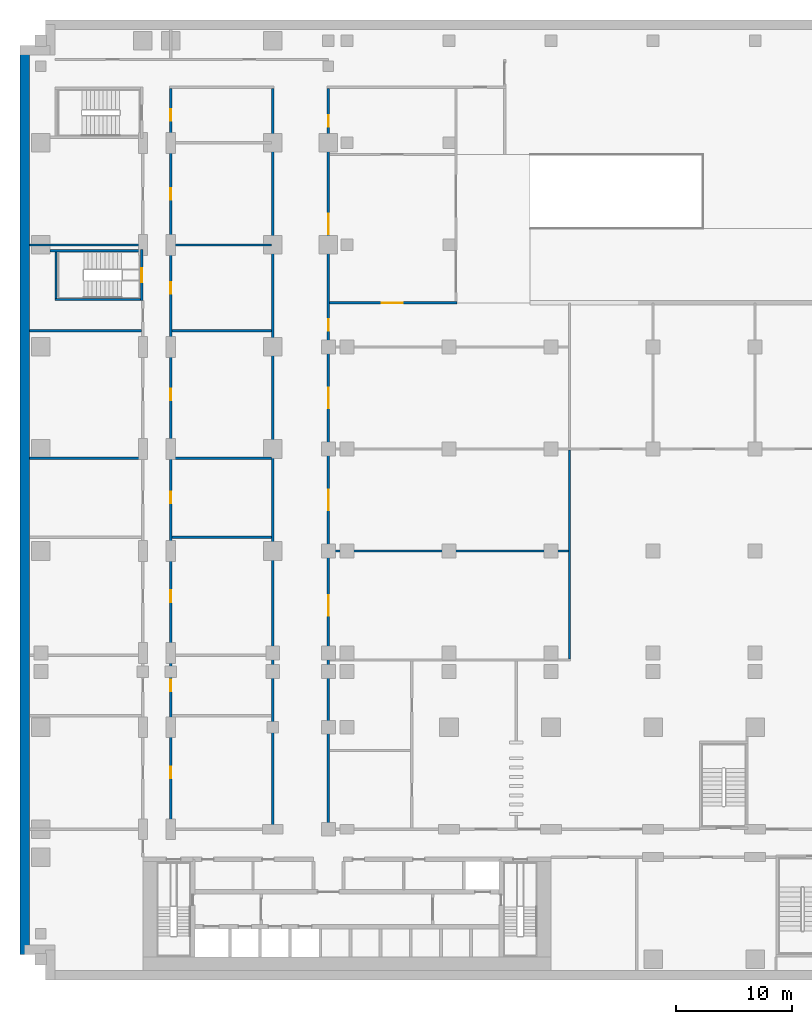
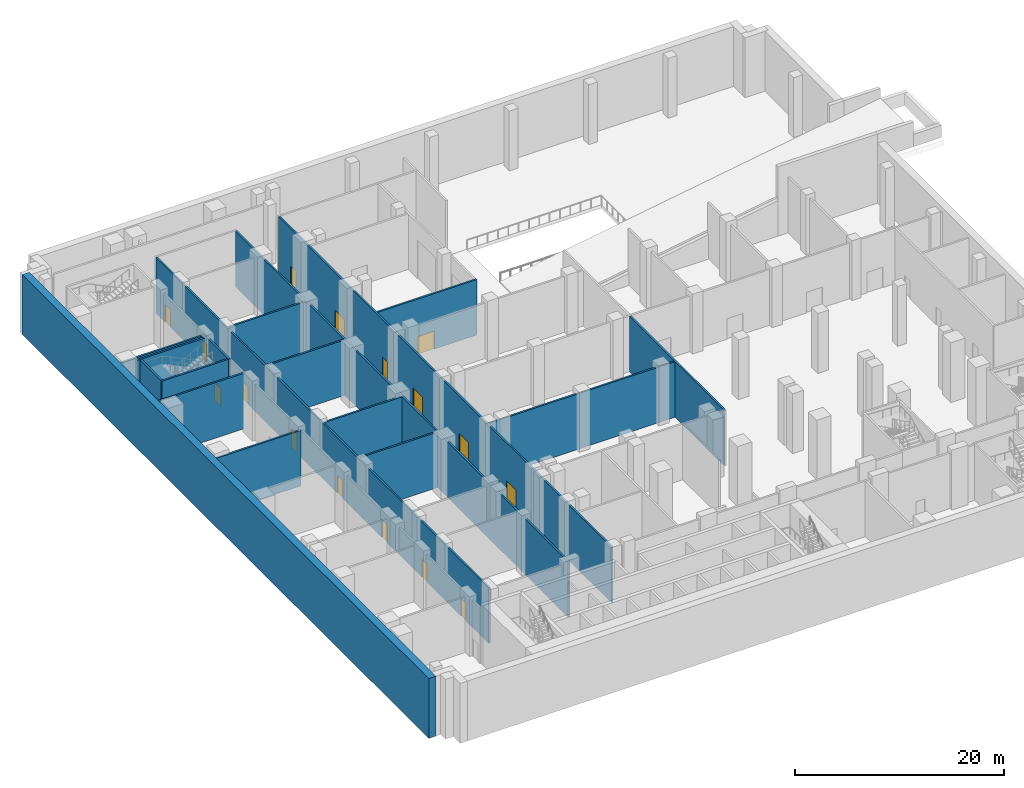
# One storey, part 6 of 15: 18 walls, 16 doors, 16 openings.
"""IFC4 building model written with IfcOpenShell, lengths in metres."""

from ifc_helpers import new_model, si_unit, direction, frame, frame_2d, origin, place, context, subcontext, project, spatial, rectangle, extrude, material, layer, layer_set, type_object, element, fill, save


model = new_model("IFC4")

# Units and contexts
model_context = context("Model", 3, precision=1e-05, world=origin(), true_north=direction((0.0, 1.0)))
body_context = subcontext(model_context, "Body", "Model", "MODEL_VIEW")
ifc_project = project(units=[si_unit("LENGTHUNIT", "METRE"), si_unit("AREAUNIT", "SQUARE_METRE"), si_unit("VOLUMEUNIT", "CUBIC_METRE"), si_unit("PLANEANGLEUNIT", "RADIAN"), si_unit("MASSUNIT", "GRAM", prefix="KILO")], contexts=[model_context])

# Site, building, storey
site_placement = place(None, origin())
site = spatial("IfcSite", under=ifc_project, at=site_placement, CompositionType="ELEMENT")
building_placement = place(site_placement, origin())
building = spatial("IfcBuilding", under=site, at=building_placement, Name="Kemantara Hotel Tower", CompositionType="ELEMENT")
storey_placement = place(building_placement, frame((0.0, 0.0, -7.0)))
storey = spatial("IfcBuildingStorey", under=building, at=storey_placement, Name="B1", CompositionType="ELEMENT", Elevation=-7.0)

# Wall
ifc_material_1 = material(Name="Concrete fc 40 MPa", Category="concrete")
ifc_layer_1 = layer(ifc_material_1, 0.800048828125)
ifc_layer_set_1 = layer_set([ifc_layer_1], Name="Concrete fc 40 MPa")
wall_type_1 = type_object("IfcWallType", Name="BASEMENT PERIMETER WALL 800 FC40", PredefinedType="SHEAR", material=ifc_layer_set_1)
wall_1_placement = place(storey_placement, frame((-0.39990234375, 1.39990234375, 0.0), z_axis=(0.0, 0.0, 1.0), x_axis=(0.0, 1.0, 0.0)))
element("IfcWall", 1, at=wall_1_placement, inside=storey, type_object=wall_type_1, Name="BASEMENT PERIMETER WALL B1 7", PredefinedType="SHEAR", context=body_context, shape_type="SweptSolid", body=[
    extrude(rectangle(XDim=78.0, YDim=0.800048828125, at=frame_2d((39.0, 0.0))), origin(), (0.0, 0.0, 1.0), 7.0),
])

# Wall, opening, door
ifc_layer_2 = layer(ifc_material_1, 0.199951171875)
ifc_layer_set_2 = layer_set([ifc_layer_2], Name="Concrete fc 40 MPa")
wall_type_2 = type_object("IfcWallType", Name="Concrete stair wall 200 mm", PredefinedType="SHEAR", material=ifc_layer_set_2)
wall_2_placement = place(storey_placement, frame((9.699951171875, 57.800048828125, 0.0), z_axis=(0.0, 0.0, 1.0), x_axis=(0.0, 1.0, 0.0)))
wall_2 = element("IfcWall", 2, at=wall_2_placement, inside=storey, type_object=wall_type_2, Name="Stair ST4 enclosure wall with door", PredefinedType="SHEAR", context=body_context, shape_type="SweptSolid", body=[
    extrude(rectangle(XDim=4.39990234375, YDim=0.199951171875, at=frame_2d((2.199951171875, 0.0))), origin(), (0.0, 0.0, 1.0), 6.550048828125),
])
opening_1_placement = place(wall_2_placement, frame((1.60009765625, 0.0, 0.0)))
opening_1 = element("IfcOpeningElement", 3, at=opening_1_placement, cuts=wall_2, Name="Opening ST4-C", PredefinedType="OPENING", context=body_context, shape_type="SweptSolid", body=[
    extrude(rectangle(XDim=1.199951171875, YDim=2.10009765625, at=frame_2d((0.60009765625, 1.050048828125))), frame((0.0, 0.10986328125, 0.0), z_axis=(0.0, -1.0, 0.0), x_axis=(1.0, 0.0, 0.0)), (0.0, 0.0, 1.0), 0.219970703125),
])
ifc_material_2 = material(Name="Steel fire door", Category="steel")
door_type_1 = type_object("IfcDoorType", Name="Fire door FD90 1200 x 2100", OperationType="NOTDEFINED", PredefinedType="DOOR", material=ifc_material_2)
door_1_placement = place(opening_1_placement, origin())
door_1 = element("IfcDoor", 4, at=door_1_placement, inside=storey, type_object=door_type_1, Name="Stair ST4 door", OperationType="SINGLE_SWING_RIGHT", OverallHeight=2.10009765625, OverallWidth=1.199951171875, PredefinedType="DOOR", context=body_context, shape_type="SweptSolid", body=[
    extrude(rectangle(XDim=1.199951171875, YDim=2.10009765625, at=frame_2d((0.60009765625, 1.050048828125))), frame((0.0, 0.02490234375, 0.0), z_axis=(0.0, -1.0, 0.0), x_axis=(1.0, 0.0, 0.0)), (0.0, 0.0, 1.0), 0.050048828125),
])
fill(opening_1, door_1)

# Walls
wall_3_placement = place(storey_placement, frame((1.800048828125, 62.10009765625, 0.0), z_axis=(0.0, 0.0, 1.0), x_axis=(1.0, 0.0, 0.0)))
element("IfcWall", 5, at=wall_3_placement, inside=storey, type_object=wall_type_2, Name="Stair ST4 enclosure wall N", PredefinedType="SHEAR", context=body_context, shape_type="SweptSolid", body=[
    extrude(rectangle(XDim=7.800048828125, YDim=0.199951171875, at=frame_2d((3.89990234375, 0.0))), origin(), (0.0, 0.0, 1.0), 6.550048828125),
])
wall_4_placement = place(storey_placement, frame((2.199951171875, 57.89990234375, 0.0), z_axis=(0.0, 0.0, 1.0), x_axis=(1.0, 0.0, 0.0)))
element("IfcWall", 6, at=wall_4_placement, inside=storey, type_object=wall_type_2, Name="Stair ST4 enclosure wall S", PredefinedType="SHEAR", context=body_context, shape_type="SweptSolid", body=[
    extrude(rectangle(XDim=7.400146484375, YDim=0.199951171875, at=frame_2d((3.7001953125, 0.0))), origin(), (0.0, 0.0, 1.0), 6.550048828125),
])
wall_5_placement = place(storey_placement, frame((2.300048828125, 58.0, 0.0), z_axis=(0.0, 0.0, 1.0), x_axis=(0.0, 1.0, 0.0)))
element("IfcWall", 7, at=wall_5_placement, inside=storey, type_object=wall_type_2, Name="Stair ST4 enclosure wall W", PredefinedType="SHEAR", context=body_context, shape_type="SweptSolid", body=[
    extrude(rectangle(XDim=4.0, YDim=0.199951171875, at=frame_2d((2.0, 0.0))), origin(), (0.0, 0.0, 1.0), 6.550048828125),
])

# Wall, opening, door
ifc_material_3 = material(Name="Fire-rated gypsum board partition")
ifc_layer_3 = layer(ifc_material_3, 0.199951171875)
ifc_layer_set_3 = layer_set([ifc_layer_3], Name="Fire-rated gypsum board partition")
wall_type_3 = type_object("IfcWallType", Name="FIRE-RATED GYPSUM PARTITION 200 EI 60", PredefinedType="PARTITIONING", material=ifc_layer_set_3)
wall_6_placement = place(storey_placement, frame((25.89990234375, 57.60009765625, 0.0), z_axis=(0.0, 0.0, 1.0), x_axis=(1.0, 0.0, 0.0)))
wall_6 = element("IfcWall", 8, at=wall_6_placement, inside=storey, type_object=wall_type_3, Name="FIRE-RATED PARTITION", PredefinedType="PARTITIONING", context=body_context, shape_type="SweptSolid", body=[
    extrude(rectangle(XDim=11.0, YDim=0.199951171875, at=frame_2d((5.5, 0.0))), origin(), (0.0, 0.0, 1.0), 6.5),
])
opening_2_placement = place(wall_6_placement, frame((4.5, 0.0, 0.0)))
opening_2 = element("IfcOpeningElement", 9, at=opening_2_placement, cuts=wall_6, Name="Opening B1-B044", PredefinedType="OPENING", context=body_context, shape_type="SweptSolid", body=[
    extrude(rectangle(XDim=1.800048828125, YDim=2.10009765625, at=frame_2d((0.89990234375, 1.050048828125))), frame((0.0, 0.10986328125, 0.0), z_axis=(0.0, -1.0, 0.0), x_axis=(1.0, 0.0, 0.0)), (0.0, 0.0, 1.0), 0.219970703125),
])
ifc_material_4 = material(Name="Timber veneer door leaf", Category="wood")
door_type_2 = type_object("IfcDoorType", Name="DOUBLE LEAF TIMBER DOOR 1800 X 2100", OperationType="DOUBLE_DOOR_SINGLE_SWING", PredefinedType="DOOR", material=ifc_material_4)
door_2_placement = place(opening_2_placement, frame((1.800048828125, 0.0, 0.0), z_axis=(0.0, 0.0, 1.0), x_axis=(-1.0, 0.0, 0.0)))
door_2 = element("IfcDoor", 10, at=door_2_placement, inside=storey, type_object=door_type_2, Name="DOUBLE LEAF TIMBER DOOR", OperationType="DOUBLE_DOOR_SINGLE_SWING", OverallHeight=2.10009765625, OverallWidth=1.800048828125, PredefinedType="DOOR", context=body_context, shape_type="SweptSolid", body=[
    extrude(rectangle(XDim=1.800048828125, YDim=2.10009765625, at=frame_2d((0.89990234375, 1.050048828125))), frame((0.0, 0.02490234375, 0.0), z_axis=(0.0, -1.0, 0.0), x_axis=(1.0, 0.0, 0.0)), (0.0, 0.0, 1.0), 0.050048828125),
])
fill(opening_2, door_2)

# Wall, openings, doors
wall_7_placement = place(storey_placement, frame((12.199951171875, 12.300048828125, 0.0), z_axis=(0.0, 0.0, 1.0), x_axis=(0.0, 1.0, 0.0)))
wall_7 = element("IfcWall", 11, at=wall_7_placement, inside=storey, type_object=wall_type_3, Name="FIRE-RATED PARTITION", PredefinedType="PARTITIONING", context=body_context, shape_type="SweptSolid", body=[
    extrude(rectangle(XDim=63.800048828125, YDim=0.199951171875, at=frame_2d((31.89990234375, 0.0))), origin(), (0.0, 0.0, 1.0), 6.5),
])
opening_3_placement = place(wall_7_placement, frame((4.300048828125, 0.0, 0.0)))
opening_3 = element("IfcOpeningElement", 12, at=opening_3_placement, cuts=wall_7, Name="Opening B1-B009", PredefinedType="OPENING", context=body_context, shape_type="SweptSolid", body=[
    extrude(rectangle(XDim=1.0, YDim=2.10009765625, at=frame_2d((0.5, 1.050048828125))), frame((0.0, 0.10986328125, 0.0), z_axis=(0.0, -1.0, 0.0), x_axis=(1.0, 0.0, 0.0)), (0.0, 0.0, 1.0), 0.219970703125),
])
opening_4_placement = place(wall_7_placement, frame((11.800048828125, 0.0, 0.0)))
opening_4 = element("IfcOpeningElement", 13, at=opening_4_placement, cuts=wall_7, Name="Opening B1-B010", PredefinedType="OPENING", context=body_context, shape_type="SweptSolid", body=[
    extrude(rectangle(XDim=1.0, YDim=2.10009765625, at=frame_2d((0.5, 1.050048828125))), frame((0.0, 0.10986328125, 0.0), z_axis=(0.0, -1.0, 0.0), x_axis=(1.0, 0.0, 0.0)), (0.0, 0.0, 1.0), 0.219970703125),
])
opening_5_placement = place(wall_7_placement, frame((19.5, 0.0, 0.0)))
opening_5 = element("IfcOpeningElement", 14, at=opening_5_placement, cuts=wall_7, Name="Opening B1-B011", PredefinedType="OPENING", context=body_context, shape_type="SweptSolid", body=[
    extrude(rectangle(XDim=1.0, YDim=2.10009765625, at=frame_2d((0.5, 1.050048828125))), frame((0.0, 0.10986328125, 0.0), z_axis=(0.0, -1.0, 0.0), x_axis=(1.0, 0.0, 0.0)), (0.0, 0.0, 1.0), 0.219970703125),
])
opening_6_placement = place(wall_7_placement, frame((28.0, 0.0, 0.0)))
opening_6 = element("IfcOpeningElement", 15, at=opening_6_placement, cuts=wall_7, Name="Opening B1-B012", PredefinedType="OPENING", context=body_context, shape_type="SweptSolid", body=[
    extrude(rectangle(XDim=1.0, YDim=2.10009765625, at=frame_2d((0.5, 1.050048828125))), frame((0.0, 0.10986328125, 0.0), z_axis=(0.0, -1.0, 0.0), x_axis=(1.0, 0.0, 0.0)), (0.0, 0.0, 1.0), 0.219970703125),
])
opening_7_placement = place(wall_7_placement, frame((36.89990234375, 0.0, 0.0)))
opening_7 = element("IfcOpeningElement", 16, at=opening_7_placement, cuts=wall_7, Name="Opening B1-B013", PredefinedType="OPENING", context=body_context, shape_type="SweptSolid", body=[
    extrude(rectangle(XDim=1.0, YDim=2.10009765625, at=frame_2d((0.5, 1.050048828125))), frame((0.0, 0.10986328125, 0.0), z_axis=(0.0, -1.0, 0.0), x_axis=(1.0, 0.0, 0.0)), (0.0, 0.0, 1.0), 0.219970703125),
])
opening_8_placement = place(wall_7_placement, frame((46.10009765625, 0.0, 0.0)))
opening_8 = element("IfcOpeningElement", 17, at=opening_8_placement, cuts=wall_7, Name="Opening B1-B014", PredefinedType="OPENING", context=body_context, shape_type="SweptSolid", body=[
    extrude(rectangle(XDim=1.0, YDim=2.10009765625, at=frame_2d((0.5, 1.050048828125))), frame((0.0, 0.10986328125, 0.0), z_axis=(0.0, -1.0, 0.0), x_axis=(1.0, 0.0, 0.0)), (0.0, 0.0, 1.0), 0.219970703125),
])
opening_9_placement = place(wall_7_placement, frame((54.199951171875, 0.0, 0.0)))
opening_9 = element("IfcOpeningElement", 18, at=opening_9_placement, cuts=wall_7, Name="Opening B1-B015", PredefinedType="OPENING", context=body_context, shape_type="SweptSolid", body=[
    extrude(rectangle(XDim=1.0, YDim=2.10009765625, at=frame_2d((0.5, 1.050048828125))), frame((0.0, 0.10986328125, 0.0), z_axis=(0.0, -1.0, 0.0), x_axis=(1.0, 0.0, 0.0)), (0.0, 0.0, 1.0), 0.219970703125),
])
opening_10_placement = place(wall_7_placement, frame((61.0, 0.0, 0.0)))
opening_10 = element("IfcOpeningElement", 19, at=opening_10_placement, cuts=wall_7, Name="Opening B1-B016", PredefinedType="OPENING", context=body_context, shape_type="SweptSolid", body=[
    extrude(rectangle(XDim=1.0, YDim=2.10009765625, at=frame_2d((0.5, 1.050048828125))), frame((0.0, 0.10986328125, 0.0), z_axis=(0.0, -1.0, 0.0), x_axis=(1.0, 0.0, 0.0)), (0.0, 0.0, 1.0), 0.219970703125),
])
door_type_3 = type_object("IfcDoorType", Name="SINGLE LEAF TIMBER DOOR 1000 X 2100", OperationType="SINGLE_SWING_LEFT", PredefinedType="DOOR", material=ifc_material_4)
door_3_placement = place(opening_3_placement, origin())
door_3 = element("IfcDoor", 20, at=door_3_placement, inside=storey, type_object=door_type_3, Name="SINGLE LEAF TIMBER DOOR", OperationType="SINGLE_SWING_LEFT", OverallHeight=2.10009765625, OverallWidth=1.0, PredefinedType="DOOR", context=body_context, shape_type="SweptSolid", body=[
    extrude(rectangle(XDim=1.0, YDim=2.10009765625, at=frame_2d((0.5, 1.050048828125))), frame((0.0, 0.02490234375, 0.0), z_axis=(0.0, -1.0, 0.0), x_axis=(1.0, 0.0, 0.0)), (0.0, 0.0, 1.0), 0.050048828125),
])
fill(opening_3, door_3)
door_4_placement = place(opening_4_placement, origin())
door_4 = element("IfcDoor", 21, at=door_4_placement, inside=storey, type_object=door_type_3, Name="SINGLE LEAF TIMBER DOOR", OperationType="SINGLE_SWING_LEFT", OverallHeight=2.10009765625, OverallWidth=1.0, PredefinedType="DOOR", context=body_context, shape_type="SweptSolid", body=[
    extrude(rectangle(XDim=1.0, YDim=2.10009765625, at=frame_2d((0.5, 1.050048828125))), frame((0.0, 0.02490234375, 0.0), z_axis=(0.0, -1.0, 0.0), x_axis=(1.0, 0.0, 0.0)), (0.0, 0.0, 1.0), 0.050048828125),
])
fill(opening_4, door_4)
door_5_placement = place(opening_5_placement, origin())
door_5 = element("IfcDoor", 22, at=door_5_placement, inside=storey, type_object=door_type_3, Name="SINGLE LEAF TIMBER DOOR", OperationType="SINGLE_SWING_LEFT", OverallHeight=2.10009765625, OverallWidth=1.0, PredefinedType="DOOR", context=body_context, shape_type="SweptSolid", body=[
    extrude(rectangle(XDim=1.0, YDim=2.10009765625, at=frame_2d((0.5, 1.050048828125))), frame((0.0, 0.02490234375, 0.0), z_axis=(0.0, -1.0, 0.0), x_axis=(1.0, 0.0, 0.0)), (0.0, 0.0, 1.0), 0.050048828125),
])
fill(opening_5, door_5)
door_6_placement = place(opening_6_placement, origin())
door_6 = element("IfcDoor", 23, at=door_6_placement, inside=storey, type_object=door_type_3, Name="SINGLE LEAF TIMBER DOOR", OperationType="SINGLE_SWING_LEFT", OverallHeight=2.10009765625, OverallWidth=1.0, PredefinedType="DOOR", context=body_context, shape_type="SweptSolid", body=[
    extrude(rectangle(XDim=1.0, YDim=2.10009765625, at=frame_2d((0.5, 1.050048828125))), frame((0.0, 0.02490234375, 0.0), z_axis=(0.0, -1.0, 0.0), x_axis=(1.0, 0.0, 0.0)), (0.0, 0.0, 1.0), 0.050048828125),
])
fill(opening_6, door_6)
door_7_placement = place(opening_7_placement, origin())
door_7 = element("IfcDoor", 24, at=door_7_placement, inside=storey, type_object=door_type_3, Name="SINGLE LEAF TIMBER DOOR", OperationType="SINGLE_SWING_RIGHT", OverallHeight=2.10009765625, OverallWidth=1.0, PredefinedType="DOOR", context=body_context, shape_type="SweptSolid", body=[
    extrude(rectangle(XDim=1.0, YDim=2.10009765625, at=frame_2d((0.5, 1.050048828125))), frame((0.0, 0.02490234375, 0.0), z_axis=(0.0, -1.0, 0.0), x_axis=(1.0, 0.0, 0.0)), (0.0, 0.0, 1.0), 0.050048828125),
])
fill(opening_7, door_7)
door_8_placement = place(opening_8_placement, origin())
door_8 = element("IfcDoor", 25, at=door_8_placement, inside=storey, type_object=door_type_3, Name="SINGLE LEAF TIMBER DOOR", OperationType="SINGLE_SWING_RIGHT", OverallHeight=2.10009765625, OverallWidth=1.0, PredefinedType="DOOR", context=body_context, shape_type="SweptSolid", body=[
    extrude(rectangle(XDim=1.0, YDim=2.10009765625, at=frame_2d((0.5, 1.050048828125))), frame((0.0, 0.02490234375, 0.0), z_axis=(0.0, -1.0, 0.0), x_axis=(1.0, 0.0, 0.0)), (0.0, 0.0, 1.0), 0.050048828125),
])
fill(opening_8, door_8)
door_9_placement = place(opening_9_placement, origin())
door_9 = element("IfcDoor", 26, at=door_9_placement, inside=storey, type_object=door_type_3, Name="SINGLE LEAF TIMBER DOOR", OperationType="SINGLE_SWING_RIGHT", OverallHeight=2.10009765625, OverallWidth=1.0, PredefinedType="DOOR", context=body_context, shape_type="SweptSolid", body=[
    extrude(rectangle(XDim=1.0, YDim=2.10009765625, at=frame_2d((0.5, 1.050048828125))), frame((0.0, 0.02490234375, 0.0), z_axis=(0.0, -1.0, 0.0), x_axis=(1.0, 0.0, 0.0)), (0.0, 0.0, 1.0), 0.050048828125),
])
fill(opening_9, door_9)
door_10_placement = place(opening_10_placement, origin())
door_10 = element("IfcDoor", 27, at=door_10_placement, inside=storey, type_object=door_type_3, Name="SINGLE LEAF TIMBER DOOR", OperationType="SINGLE_SWING_RIGHT", OverallHeight=2.10009765625, OverallWidth=1.0, PredefinedType="DOOR", context=body_context, shape_type="SweptSolid", body=[
    extrude(rectangle(XDim=1.0, YDim=2.10009765625, at=frame_2d((0.5, 1.050048828125))), frame((0.0, 0.02490234375, 0.0), z_axis=(0.0, -1.0, 0.0), x_axis=(1.0, 0.0, 0.0)), (0.0, 0.0, 1.0), 0.050048828125),
])
fill(opening_10, door_10)

# Wall
wall_8_placement = place(storey_placement, frame((21.0, 12.300048828125, 0.0), z_axis=(0.0, 0.0, 1.0), x_axis=(0.0, 1.0, 0.0)))
element("IfcWall", 28, at=wall_8_placement, inside=storey, type_object=wall_type_3, Name="FIRE-RATED PARTITION", PredefinedType="PARTITIONING", context=body_context, shape_type="SweptSolid", body=[
    extrude(rectangle(XDim=63.800048828125, YDim=0.199951171875, at=frame_2d((31.89990234375, 0.0))), origin(), (0.0, 0.0, 1.0), 6.5),
])

# Wall, openings, doors
wall_9_placement = place(storey_placement, frame((25.800048828125, 12.300048828125, 0.0), z_axis=(0.0, 0.0, 1.0), x_axis=(0.0, 1.0, 0.0)))
wall_9 = element("IfcWall", 29, at=wall_9_placement, inside=storey, type_object=wall_type_3, Name="FIRE-RATED PARTITION", PredefinedType="PARTITIONING", context=body_context, shape_type="SweptSolid", body=[
    extrude(rectangle(XDim=63.800048828125, YDim=0.199951171875, at=frame_2d((31.89990234375, 0.0))), origin(), (0.0, 0.0, 1.0), 6.5),
])
opening_11_placement = place(wall_9_placement, frame((18.300048828125, 0.0, 0.0)))
opening_11 = element("IfcOpeningElement", 30, at=opening_11_placement, cuts=wall_9, Name="Opening B1-B039", PredefinedType="OPENING", context=body_context, shape_type="SweptSolid", body=[
    extrude(rectangle(XDim=1.800048828125, YDim=2.10009765625, at=frame_2d((0.89990234375, 1.050048828125))), frame((0.0, 0.10986328125, 0.0), z_axis=(0.0, -1.0, 0.0), x_axis=(1.0, 0.0, 0.0)), (0.0, 0.0, 1.0), 0.219970703125),
])
opening_12_placement = place(wall_9_placement, frame((27.39990234375, 0.0, 0.0)))
opening_12 = element("IfcOpeningElement", 31, at=opening_12_placement, cuts=wall_9, Name="Opening B1-B040", PredefinedType="OPENING", context=body_context, shape_type="SweptSolid", body=[
    extrude(rectangle(XDim=1.800048828125, YDim=2.10009765625, at=frame_2d((0.89990234375, 1.050048828125))), frame((0.0, 0.10986328125, 0.0), z_axis=(0.0, -1.0, 0.0), x_axis=(1.0, 0.0, 0.0)), (0.0, 0.0, 1.0), 0.219970703125),
])
opening_13_placement = place(wall_9_placement, frame((36.199951171875, 0.0, 0.0)))
opening_13 = element("IfcOpeningElement", 32, at=opening_13_placement, cuts=wall_9, Name="Opening B1-B041", PredefinedType="OPENING", context=body_context, shape_type="SweptSolid", body=[
    extrude(rectangle(XDim=1.800048828125, YDim=2.10009765625, at=frame_2d((0.89990234375, 1.050048828125))), frame((0.0, 0.10986328125, 0.0), z_axis=(0.0, -1.0, 0.0), x_axis=(1.0, 0.0, 0.0)), (0.0, 0.0, 1.0), 0.219970703125),
])
opening_14_placement = place(wall_9_placement, frame((42.89990234375, 0.0, 0.0)))
opening_14 = element("IfcOpeningElement", 33, at=opening_14_placement, cuts=wall_9, Name="Opening B1-B042", PredefinedType="OPENING", context=body_context, shape_type="SweptSolid", body=[
    extrude(rectangle(XDim=1.0, YDim=2.10009765625, at=frame_2d((0.5, 1.050048828125))), frame((0.0, 0.10986328125, 0.0), z_axis=(0.0, -1.0, 0.0), x_axis=(1.0, 0.0, 0.0)), (0.0, 0.0, 1.0), 0.219970703125),
])
opening_15_placement = place(wall_9_placement, frame((51.199951171875, 0.0, 0.0)))
opening_15 = element("IfcOpeningElement", 34, at=opening_15_placement, cuts=wall_9, Name="Opening B1-B043", PredefinedType="OPENING", context=body_context, shape_type="SweptSolid", body=[
    extrude(rectangle(XDim=1.800048828125, YDim=2.10009765625, at=frame_2d((0.89990234375, 1.050048828125))), frame((0.0, 0.10986328125, 0.0), z_axis=(0.0, -1.0, 0.0), x_axis=(1.0, 0.0, 0.0)), (0.0, 0.0, 1.0), 0.219970703125),
])
opening_16_placement = place(wall_9_placement, frame((60.5, 0.0, 0.0)))
opening_16 = element("IfcOpeningElement", 35, at=opening_16_placement, cuts=wall_9, Name="Opening B1-B045", PredefinedType="OPENING", context=body_context, shape_type="SweptSolid", body=[
    extrude(rectangle(XDim=1.0, YDim=2.10009765625, at=frame_2d((0.5, 1.050048828125))), frame((0.0, 0.10986328125, 0.0), z_axis=(0.0, -1.0, 0.0), x_axis=(1.0, 0.0, 0.0)), (0.0, 0.0, 1.0), 0.219970703125),
])
door_11_placement = place(opening_11_placement, origin())
door_11 = element("IfcDoor", 36, at=door_11_placement, inside=storey, type_object=door_type_2, Name="DOUBLE LEAF TIMBER DOOR", OperationType="DOUBLE_DOOR_SINGLE_SWING", OverallHeight=2.10009765625, OverallWidth=1.800048828125, PredefinedType="DOOR", context=body_context, shape_type="SweptSolid", body=[
    extrude(rectangle(XDim=1.800048828125, YDim=2.10009765625, at=frame_2d((0.89990234375, 1.050048828125))), frame((0.0, 0.02490234375, 0.0), z_axis=(0.0, -1.0, 0.0), x_axis=(1.0, 0.0, 0.0)), (0.0, 0.0, 1.0), 0.050048828125),
])
fill(opening_11, door_11)
door_12_placement = place(opening_12_placement, origin())
door_12 = element("IfcDoor", 37, at=door_12_placement, inside=storey, type_object=door_type_2, Name="DOUBLE LEAF TIMBER DOOR", OperationType="DOUBLE_DOOR_SINGLE_SWING", OverallHeight=2.10009765625, OverallWidth=1.800048828125, PredefinedType="DOOR", context=body_context, shape_type="SweptSolid", body=[
    extrude(rectangle(XDim=1.800048828125, YDim=2.10009765625, at=frame_2d((0.89990234375, 1.050048828125))), frame((0.0, 0.02490234375, 0.0), z_axis=(0.0, -1.0, 0.0), x_axis=(1.0, 0.0, 0.0)), (0.0, 0.0, 1.0), 0.050048828125),
])
fill(opening_12, door_12)
door_13_placement = place(opening_13_placement, origin())
door_13 = element("IfcDoor", 38, at=door_13_placement, inside=storey, type_object=door_type_2, Name="DOUBLE LEAF TIMBER DOOR", OperationType="DOUBLE_DOOR_SINGLE_SWING", OverallHeight=2.10009765625, OverallWidth=1.800048828125, PredefinedType="DOOR", context=body_context, shape_type="SweptSolid", body=[
    extrude(rectangle(XDim=1.800048828125, YDim=2.10009765625, at=frame_2d((0.89990234375, 1.050048828125))), frame((0.0, 0.02490234375, 0.0), z_axis=(0.0, -1.0, 0.0), x_axis=(1.0, 0.0, 0.0)), (0.0, 0.0, 1.0), 0.050048828125),
])
fill(opening_13, door_13)
door_14_placement = place(opening_15_placement, frame((1.800048828125, 0.0, 0.0), z_axis=(0.0, 0.0, 1.0), x_axis=(-1.0, 0.0, 0.0)))
door_14 = element("IfcDoor", 39, at=door_14_placement, inside=storey, type_object=door_type_2, Name="DOUBLE LEAF TIMBER DOOR", OperationType="DOUBLE_DOOR_SINGLE_SWING", OverallHeight=2.10009765625, OverallWidth=1.800048828125, PredefinedType="DOOR", context=body_context, shape_type="SweptSolid", body=[
    extrude(rectangle(XDim=1.800048828125, YDim=2.10009765625, at=frame_2d((0.89990234375, 1.050048828125))), frame((0.0, 0.02490234375, 0.0), z_axis=(0.0, -1.0, 0.0), x_axis=(1.0, 0.0, 0.0)), (0.0, 0.0, 1.0), 0.050048828125),
])
fill(opening_15, door_14)
door_15_placement = place(opening_14_placement, frame((1.0, 0.0, 0.0), z_axis=(0.0, 0.0, 1.0), x_axis=(-1.0, 0.0, 0.0)))
door_15 = element("IfcDoor", 40, at=door_15_placement, inside=storey, type_object=door_type_3, Name="SINGLE LEAF TIMBER DOOR", OperationType="SINGLE_SWING_LEFT", OverallHeight=2.10009765625, OverallWidth=1.0, PredefinedType="DOOR", context=body_context, shape_type="SweptSolid", body=[
    extrude(rectangle(XDim=1.0, YDim=2.10009765625, at=frame_2d((0.5, 1.050048828125))), frame((0.0, 0.02490234375, 0.0), z_axis=(0.0, -1.0, 0.0), x_axis=(1.0, 0.0, 0.0)), (0.0, 0.0, 1.0), 0.050048828125),
])
fill(opening_14, door_15)
door_16_placement = place(opening_16_placement, frame((1.0, 0.0, 0.0), z_axis=(0.0, 0.0, 1.0), x_axis=(-1.0, 0.0, 0.0)))
door_16 = element("IfcDoor", 41, at=door_16_placement, inside=storey, type_object=door_type_3, Name="SINGLE LEAF TIMBER DOOR", OperationType="SINGLE_SWING_LEFT", OverallHeight=2.10009765625, OverallWidth=1.0, PredefinedType="DOOR", context=body_context, shape_type="SweptSolid", body=[
    extrude(rectangle(XDim=1.0, YDim=2.10009765625, at=frame_2d((0.5, 1.050048828125))), frame((0.0, 0.02490234375, 0.0), z_axis=(0.0, -1.0, 0.0), x_axis=(1.0, 0.0, 0.0)), (0.0, 0.0, 1.0), 0.050048828125),
])
fill(opening_16, door_16)

# Walls
ifc_material_5 = material(Name="Gypsum board partition")
ifc_layer_4 = layer(ifc_material_5, 0.199951171875)
ifc_layer_set_4 = layer_set([ifc_layer_4], Name="Gypsum board partition")
wall_type_4 = type_object("IfcWallType", Name="GYPSUM BOARD PARTITION 200", PredefinedType="PARTITIONING", material=ifc_layer_set_4)
wall_10_placement = place(storey_placement, frame((12.300048828125, 37.39990234375, 0.0), z_axis=(0.0, 0.0, 1.0), x_axis=(1.0, 0.0, 0.0)))
element("IfcWall", 42, at=wall_10_placement, inside=storey, type_object=wall_type_4, Name="PARTITION", PredefinedType="PARTITIONING", context=body_context, shape_type="SweptSolid", body=[
    extrude(rectangle(XDim=8.599853515625, YDim=0.199951171875, at=frame_2d((4.2998046875, 0.0))), origin(), (0.0, 0.0, 1.0), 6.5),
])
wall_11_placement = place(storey_placement, frame((0.0, 44.199951171875, 0.0), z_axis=(0.0, 0.0, 1.0), x_axis=(1.0, 0.0, 0.0)))
element("IfcWall", 43, at=wall_11_placement, inside=storey, type_object=wall_type_4, Name="PARTITION", PredefinedType="PARTITIONING", context=body_context, shape_type="SweptSolid", body=[
    extrude(rectangle(XDim=9.699951171875, YDim=0.199951171875, at=frame_2d((4.85009765625, 0.0))), origin(), (0.0, 0.0, 1.0), 6.5),
])
wall_12_placement = place(storey_placement, frame((12.300048828125, 44.199951171875, 0.0), z_axis=(0.0, 0.0, 1.0), x_axis=(1.0, 0.0, 0.0)))
element("IfcWall", 44, at=wall_12_placement, inside=storey, type_object=wall_type_4, Name="PARTITION", PredefinedType="PARTITIONING", context=body_context, shape_type="SweptSolid", body=[
    extrude(rectangle(XDim=8.599853515625, YDim=0.199951171875, at=frame_2d((4.2998046875, 0.0))), origin(), (0.0, 0.0, 1.0), 6.5),
])
wall_13_placement = place(storey_placement, frame((0.0, 55.199951171875, 0.0), z_axis=(0.0, 0.0, 1.0), x_axis=(1.0, 0.0, 0.0)))
element("IfcWall", 45, at=wall_13_placement, inside=storey, type_object=wall_type_4, Name="PARTITION", PredefinedType="PARTITIONING", context=body_context, shape_type="SweptSolid", body=[
    extrude(rectangle(XDim=9.699951171875, YDim=0.199951171875, at=frame_2d((4.85009765625, 0.0))), origin(), (0.0, 0.0, 1.0), 6.5),
])
wall_14_placement = place(storey_placement, frame((12.300048828125, 55.199951171875, 0.0), z_axis=(0.0, 0.0, 1.0), x_axis=(1.0, 0.0, 0.0)))
element("IfcWall", 46, at=wall_14_placement, inside=storey, type_object=wall_type_4, Name="PARTITION", PredefinedType="PARTITIONING", context=body_context, shape_type="SweptSolid", body=[
    extrude(rectangle(XDim=8.599853515625, YDim=0.199951171875, at=frame_2d((4.2998046875, 0.0))), origin(), (0.0, 0.0, 1.0), 6.5),
])
wall_15_placement = place(storey_placement, frame((0.0, 62.60009765625, 0.0), z_axis=(0.0, 0.0, 1.0), x_axis=(1.0, 0.0, 0.0)))
element("IfcWall", 47, at=wall_15_placement, inside=storey, type_object=wall_type_4, Name="PARTITION", PredefinedType="PARTITIONING", context=body_context, shape_type="SweptSolid", body=[
    extrude(rectangle(XDim=9.699951171875, YDim=0.199951171875, at=frame_2d((4.85009765625, 0.0))), origin(), (0.0, 0.0, 1.0), 6.5),
])
wall_16_placement = place(storey_placement, frame((12.300048828125, 62.60009765625, 0.0), z_axis=(0.0, 0.0, 1.0), x_axis=(1.0, 0.0, 0.0)))
element("IfcWall", 48, at=wall_16_placement, inside=storey, type_object=wall_type_4, Name="PARTITION", PredefinedType="PARTITIONING", context=body_context, shape_type="SweptSolid", body=[
    extrude(rectangle(XDim=8.599853515625, YDim=0.199951171875, at=frame_2d((4.2998046875, 0.0))), origin(), (0.0, 0.0, 1.0), 6.5),
])
wall_17_placement = place(storey_placement, frame((25.89990234375, 36.199951171875, 0.0), z_axis=(0.0, 0.0, 1.0), x_axis=(1.0, 0.0, 0.0)))
element("IfcWall", 49, at=wall_17_placement, inside=storey, type_object=wall_type_4, Name="PARTITION", PredefinedType="PARTITIONING", context=body_context, shape_type="SweptSolid", body=[
    extrude(rectangle(XDim=20.60009765625, YDim=0.199951171875, at=frame_2d((10.300048828125, 0.0))), origin(), (0.0, 0.0, 1.0), 6.5),
])
wall_18_placement = place(storey_placement, frame((46.60009765625, 26.89990234375, 0.0), z_axis=(0.0, 0.0, 1.0), x_axis=(0.0, 1.0, 0.0)))
element("IfcWall", 50, at=wall_18_placement, inside=storey, type_object=wall_type_4, Name="PARTITION", PredefinedType="PARTITIONING", context=body_context, shape_type="SweptSolid", body=[
    extrude(rectangle(XDim=18.0, YDim=0.199951171875, at=frame_2d((9.0, 0.0))), origin(), (0.0, 0.0, 1.0), 6.5),
])

save(model, "model.ifc")
